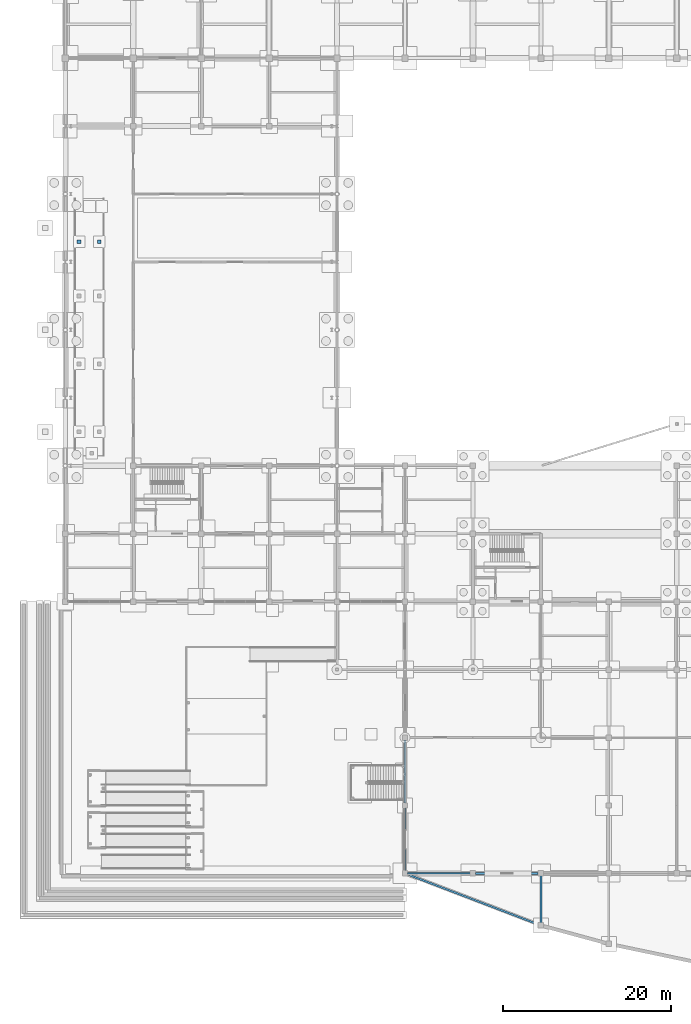
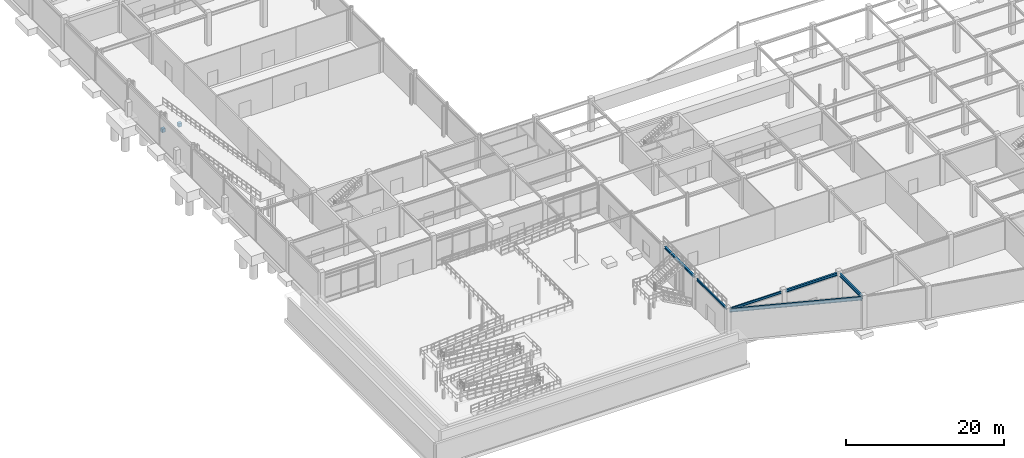
# One storey, part 34 of 67: 6 beams, 2 columns.
"""IFC4 building model written with IfcOpenShell, lengths in metres."""

from ifc_helpers import new_model, si_unit, direction, frame, origin, origin_2d, place, context, subcontext, project, spatial, rectangle, i_section, extrude, material, material_profile, profile_set, type_object, element, save


model = new_model("IFC4")

# Units and contexts
model_context = context("Model", 3, precision=1e-05, world=origin(), true_north=direction((0.0, 1.0)))
body_context = subcontext(model_context, "Body", "Model", "MODEL_VIEW")
ifc_project = project(units=[si_unit("LENGTHUNIT", "METRE"), si_unit("AREAUNIT", "SQUARE_METRE"), si_unit("VOLUMEUNIT", "CUBIC_METRE"), si_unit("PLANEANGLEUNIT", "RADIAN"), si_unit("MASSUNIT", "GRAM", prefix="KILO")], contexts=[model_context])

# Site, building, storey
site_placement = place(None, origin())
site = spatial("IfcSite", under=ifc_project, at=site_placement, CompositionType="ELEMENT")
building_placement = place(site_placement, origin())
building = spatial("IfcBuilding", under=site, at=building_placement, Name="Vaudrelin Polytechnic", CompositionType="ELEMENT")
storey_placement = place(building_placement, frame((0.0, 0.0, -5.10009765625)))
storey = spatial("IfcBuildingStorey", under=building, at=storey_placement, Name="B1", CompositionType="ELEMENT", Elevation=-5.10009765625)

# Columns
ifc_material_1 = material(Name="Concrete 40 MPa", Category="concrete")
ifc_material_profile_1 = material_profile(ifc_material_1, rectangle(XDim=0.449951171875, YDim=0.449951171875, at=origin_2d()), Name="RC450x450")
ifc_profile_set_1 = profile_set([ifc_material_profile_1], Name="Concrete 40 MPa")
column_type = type_object("IfcColumnType", Name="COL-C-RC450", PredefinedType="COLUMN", material=ifc_profile_set_1)
for number, where, z_axis, x_axis, name in (
    (1, (1.64990234375, 75.300048828125, 0.0), (0.0, 0.0, 1.0), (1.0, 0.0, 0.0), "Vehicle ramp support pier VRMP-M4W"),
    (2, (4.050048828125, 75.300048828125, 0.0), (0.0, 0.0, 1.0), (1.0, 0.0, 0.0), "Vehicle ramp support pier VRMP-M4E"),
):
    element("IfcColumn", number, at=place(storey_placement, frame(where, z_axis=z_axis, x_axis=x_axis)), inside=storey, type_object=column_type, Name=name, PredefinedType="COLUMN", context=body_context, shape_type="SweptSolid", body=[
        extrude(rectangle(XDim=0.449951171875, YDim=0.449951171875, at=origin_2d()), origin(), (0.0, 0.0, 1.0), 0.5546875),
    ])

# Beams
ifc_material_2 = material(Name="Steel CSA G40.21 350WT", Category="steel")
ifc_material_profile_2 = material_profile(ifc_material_2, i_section(OverallWidth=0.260009765625, OverallDepth=0.4150390625, WebThickness=0.010009765625, FlangeThickness=0.016845703125, FilletRadius=0.01611328125, at=origin_2d()), Name="W410x100")
ifc_profile_set_2 = profile_set([ifc_material_profile_2], Name="Steel CSA G40.21 350WT")
beam_type_1 = type_object("IfcBeamType", Name="BM-BM-W410H", PredefinedType="SPANDREL", material=ifc_profile_set_2)
beam_1_placement = place(storey_placement, frame((48.9208984375, 0.0, 4.572509765625), z_axis=(1.0, 0.0, 0.0), x_axis=(0.0, 1.0, 0.0)))
element("IfcBeam", 3, at=beam_1_placement, inside=storey, type_object=beam_type_1, Name="B1 X-beam 7-1", PredefinedType="SPANDREL", context=body_context, shape_type="SweptSolid", body=[
    extrude(i_section(OverallWidth=0.260009765625, OverallDepth=0.4150390625, WebThickness=0.010009765625, FlangeThickness=0.016845703125, FilletRadius=0.01611328125, at=origin_2d()), origin(), (0.0, 0.0, 1.0), 7.4580078125),
])
ifc_material_3 = material(Name="Steel CSA G40.21 350W", Category="steel")
ifc_material_profile_3 = material_profile(ifc_material_3, i_section(OverallWidth=0.208984375, OverallDepth=0.532958984375, WebThickness=0.01025390625, FlangeThickness=0.015625, FilletRadius=0.01904296875, at=origin_2d()), Name="W530x92")
ifc_profile_set_3 = profile_set([ifc_material_profile_3], Name="Steel CSA G40.21 350W")
beam_type_2 = type_object("IfcBeamType", Name="BM-BM-W530", PredefinedType="BEAM", material=ifc_profile_set_3)
beam_2_placement = place(storey_placement, frame((56.699951171875, -5.97998046875, 4.513671875), z_axis=(0.0, 1.0, 0.0), x_axis=(-1.0, 0.0, 0.0)))
element("IfcBeam", 4, at=beam_2_placement, inside=storey, type_object=beam_type_2, Name="Sculptural edge beam B1 V2P_TIE_7", PredefinedType="BEAM", context=body_context, shape_type="SweptSolid", body=[
    extrude(i_section(OverallWidth=0.208984375, OverallDepth=0.532958984375, WebThickness=0.01025390625, FlangeThickness=0.015625, FilletRadius=0.01904296875, at=origin_2d()), origin(), (0.0, 0.0, 1.0), 5.760009765625),
])
ifc_material_profile_4 = material_profile(ifc_material_3, i_section(OverallWidth=0.214111328125, OverallDepth=0.549072265625, WebThickness=0.0146484375, FlangeThickness=0.023681640625, FilletRadius=0.01904296875, at=origin_2d()), Name="W530x138")
ifc_profile_set_4 = profile_set([ifc_material_profile_4], Name="Steel CSA G40.21 350W")
beam_type_3 = type_object("IfcBeamType", Name="BM-BM-W530H", PredefinedType="BEAM", material=ifc_profile_set_4)
beam_3_placement = place(storey_placement, frame((40.70556640625, -0.07861328125, 4.505615234375), z_axis=(0.933936876912, -0.357437980555, 0.0), x_axis=(0.357437980555, 0.933936876912, 0.0)))
element("IfcBeam", 5, at=beam_3_placement, inside=storey, type_object=beam_type_3, Name="Sculptural edge beam B1 V2P_BM_1", PredefinedType="BEAM", context=body_context, shape_type="SweptSolid", body=[
    extrude(i_section(OverallWidth=0.214111328125, OverallDepth=0.549072265625, WebThickness=0.0146484375, FlangeThickness=0.023681640625, FilletRadius=0.01904296875, at=origin_2d()), origin(), (0.0, 0.0, 1.0), 16.90576171875),
])
ifc_material_profile_5 = material_profile(ifc_material_2, i_section(OverallWidth=0.25390625, OverallDepth=0.305908203125, WebThickness=0.0087890625, FlangeThickness=0.0146484375, FilletRadius=0.01611328125, at=origin_2d()), Name="W310x79")
ifc_profile_set_5 = profile_set([ifc_material_profile_5], Name="Steel CSA G40.21 350WT")
beam_type_4 = type_object("IfcBeamType", Name="BM-JS-W310H", PredefinedType="SPANDREL", material=ifc_profile_set_5)
beam_4_placement = place(storey_placement, frame((40.5, 8.409912109375, 4.627197265625), z_axis=(0.0, 1.0, 0.0), x_axis=(-1.0, 0.0, 0.0)))
element("IfcBeam", 6, at=beam_4_placement, inside=storey, type_object=beam_type_4, Name="B1 Y-beam 6-2", PredefinedType="SPANDREL", context=body_context, shape_type="SweptSolid", body=[
    extrude(i_section(OverallWidth=0.25390625, OverallDepth=0.305908203125, WebThickness=0.0087890625, FlangeThickness=0.0146484375, FilletRadius=0.01611328125, at=origin_2d()), origin(), (0.0, 0.0, 1.0), 7.47998046875),
])
ifc_material_profile_6 = material_profile(ifc_material_3, i_section(OverallWidth=0.172119140625, OverallDepth=0.35791015625, WebThickness=0.0078125, FlangeThickness=0.01318359375, FilletRadius=0.014892578125, at=origin_2d()), Name="W360x57")
ifc_profile_set_6 = profile_set([ifc_material_profile_6], Name="Steel CSA G40.21 350W")
beam_type_5 = type_object("IfcBeamType", Name="BM-JS-W360", PredefinedType="JOIST", material=ifc_profile_set_6)
beam_5_placement = place(storey_placement, frame((40.5, 0.31005859375, 4.60107421875), z_axis=(0.0, 1.0, 0.0), x_axis=(-1.0, 0.0, 0.0)))
element("IfcBeam", 7, at=beam_5_placement, inside=storey, type_object=beam_type_5, Name="B1 Y-beam 6-1", PredefinedType="JOIST", context=body_context, shape_type="SweptSolid", body=[
    extrude(i_section(OverallWidth=0.172119140625, OverallDepth=0.35791015625, WebThickness=0.0078125, FlangeThickness=0.01318359375, FilletRadius=0.014892578125, at=origin_2d()), origin(), (0.0, 0.0, 1.0), 7.47998046875),
])
beam_6_placement = place(storey_placement, frame((40.821044921875, 0.0, 4.60107421875), z_axis=(1.0, 0.0, 0.0), x_axis=(0.0, 1.0, 0.0)))
element("IfcBeam", 8, at=beam_6_placement, inside=storey, type_object=beam_type_5, Name="B1 X-beam 6-1", PredefinedType="JOIST", context=body_context, shape_type="SweptSolid", body=[
    extrude(i_section(OverallWidth=0.172119140625, OverallDepth=0.35791015625, WebThickness=0.0078125, FlangeThickness=0.01318359375, FilletRadius=0.014892578125, at=origin_2d()), origin(), (0.0, 0.0, 1.0), 7.4580078125),
])

save(model, "model.ifc")
